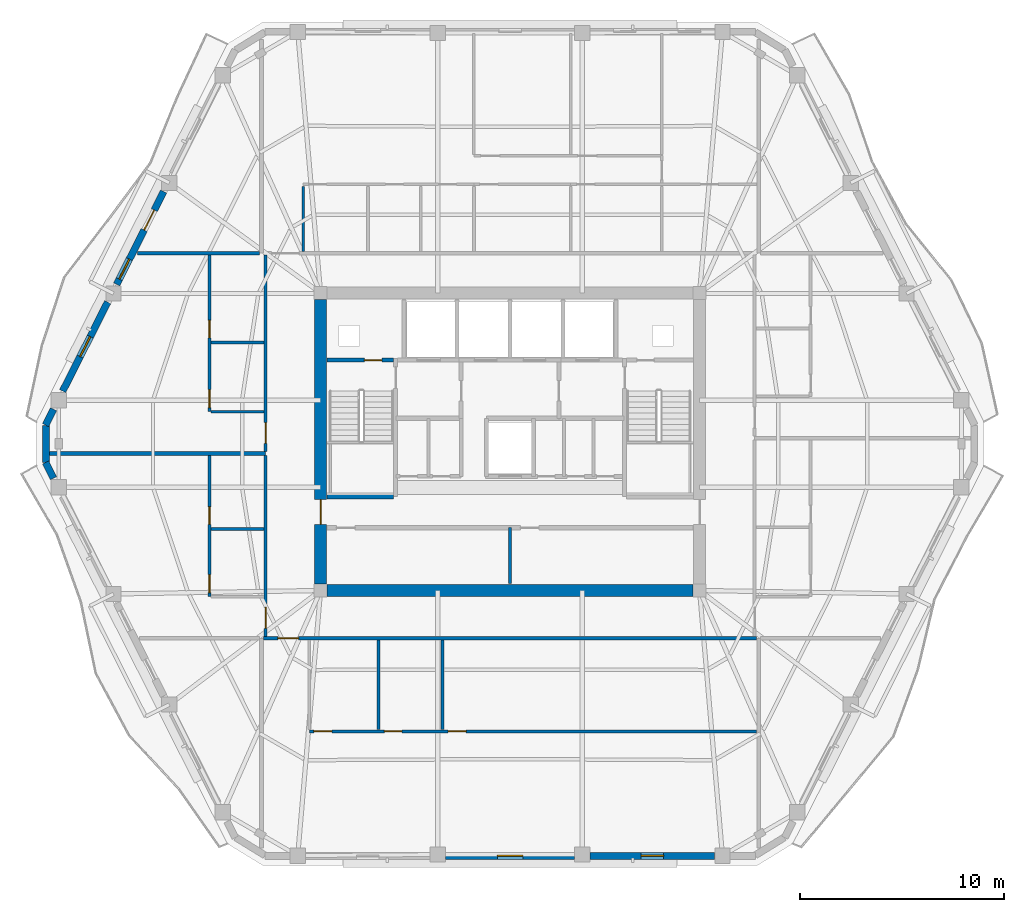
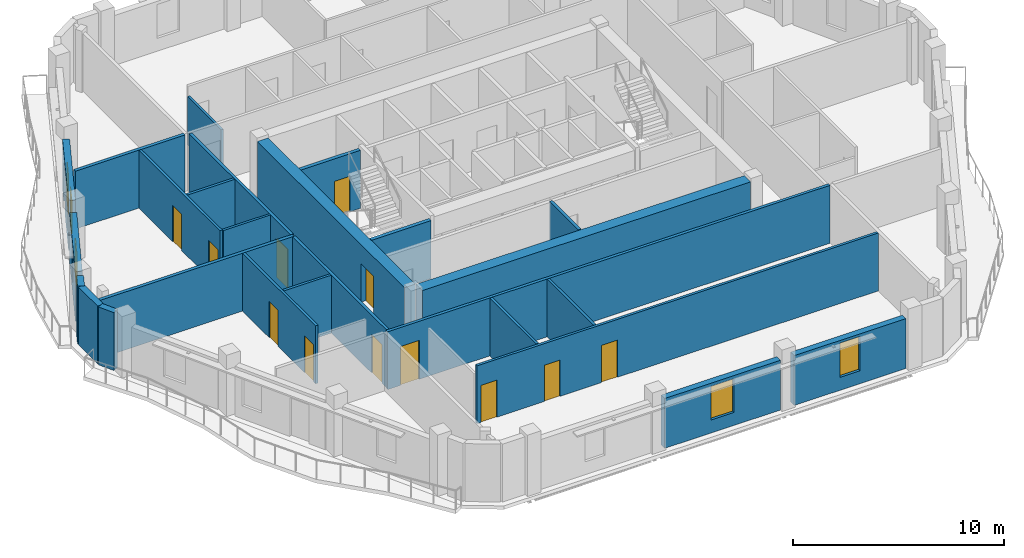
# One storey, part 4 of 11: 26 walls, 13 doors, 4 windows, 17 openings.
"""IFC4 building model written with IfcOpenShell, lengths in metres."""

from ifc_helpers import new_model, si_unit, direction, frame, frame_2d, origin, place, context, subcontext, project, spatial, rectangle, extrude, material, layer, layer_set, type_object, element, fill, save


model = new_model("IFC4")

# Units and contexts
model_context = context("Model", 3, precision=1e-05, world=origin(), true_north=direction((0.0, 1.0)))
body_context = subcontext(model_context, "Body", "Model", "MODEL_VIEW")
ifc_project = project(units=[si_unit("LENGTHUNIT", "METRE"), si_unit("AREAUNIT", "SQUARE_METRE"), si_unit("VOLUMEUNIT", "CUBIC_METRE"), si_unit("PLANEANGLEUNIT", "RADIAN"), si_unit("MASSUNIT", "GRAM", prefix="KILO")], contexts=[model_context])

# Site, building, storey
site_placement = place(None, origin())
site = spatial("IfcSite", under=ifc_project, at=site_placement, CompositionType="ELEMENT")
building_placement = place(site_placement, origin())
building = spatial("IfcBuilding", under=site, at=building_placement, Name="Cinnabar Lancet Tower", CompositionType="ELEMENT")
storey_placement = place(building_placement, frame((0.0, 0.0, 214.5)))
storey = spatial("IfcBuildingStorey", under=building, at=storey_placement, Name="L57", CompositionType="ELEMENT", Elevation=214.5)

# Wall
ifc_material_1 = material(Name="Acoustic twin-stud gypsum partition", Category="gypsum")
ifc_layer_1 = layer(ifc_material_1, 0.159912109375)
ifc_layer_set_1 = layer_set([ifc_layer_1], Name="Acoustic twin-stud gypsum partition")
wall_type_1 = type_object("IfcWallType", Name="ARC-WL-CORR-160", PredefinedType="PARTITIONING", material=ifc_layer_set_1)
wall_1_placement = place(storey_placement, frame((32.39990234375, 18.949951171875, 0.0), z_axis=(0.0, 0.0, 1.0), x_axis=(0.0, 1.0, 0.0)))
element("IfcWall", 1, at=wall_1_placement, inside=storey, type_object=wall_type_1, Name="CW-SB-3240-L57", PredefinedType="PARTITIONING", context=body_context, shape_type="SweptSolid", body=[
    extrude(rectangle(XDim=2.72998046875, YDim=0.159912109375, at=frame_2d((1.364990234375, 0.0))), origin(), (0.0, 0.0, 1.0), 3.35009765625),
])

# Wall, opening, door
wall_2_placement = place(storey_placement, frame((20.294921875, 16.25, 0.0), z_axis=(0.0, 0.0, 1.0), x_axis=(1.0, 0.0, 0.0)))
wall_2 = element("IfcWall", 2, at=wall_2_placement, inside=storey, type_object=wall_type_1, Name="L57 Unit S01 Corridor Wall", PredefinedType="PARTITIONING", context=body_context, shape_type="SweptSolid", body=[
    extrude(rectangle(XDim=24.2099609375, YDim=0.159912109375, at=frame_2d((12.10498046875, 0.0))), origin(), (0.0, 0.0, 1.0), 3.35009765625),
])
opening_1_placement = place(wall_2_placement, frame((0.705078125, 0.0, 0.0)))
opening_1 = element("IfcOpeningElement", 3, at=opening_1_placement, cuts=wall_2, Name="Opening UD-01", PredefinedType="OPENING", context=body_context, shape_type="SweptSolid", body=[
    extrude(rectangle(XDim=1.02001953125, YDim=2.25, at=frame_2d((0.510009765625, 1.125))), frame((0.0, 0.08984375, 0.0), z_axis=(0.0, -1.0, 0.0), x_axis=(1.0, 0.0, 0.0)), (0.0, 0.0, 1.0), 0.179931640625),
])
ifc_material_2 = material(Name="Solid timber fire-rated apartment entrance door", Category="wood")
door_type_1 = type_object("IfcDoorType", Name="ARC-DR-UNIT", OperationType="NOTDEFINED", PredefinedType="DOOR", material=ifc_material_2)
door_1_placement = place(opening_1_placement, origin())
door_1 = element("IfcDoor", 4, at=door_1_placement, inside=storey, type_object=door_type_1, Name="DR-L57-S01-ENT", OperationType="SINGLE_SWING_LEFT", OverallHeight=2.25, OverallWidth=1.02001953125, PredefinedType="DOOR", context=body_context, shape_type="SweptSolid", body=[
    extrude(rectangle(XDim=1.02001953125, YDim=2.25, at=frame_2d((0.510009765625, 1.125))), frame((0.0, 0.02490234375, 0.0), z_axis=(0.0, -1.0, 0.0), x_axis=(1.0, 0.0, 0.0)), (0.0, 0.0, 1.0), 0.050048828125),
])
fill(opening_1, door_1)

wall_3_placement = place(storey_placement, frame((20.39990234375, 16.344970703125, 0.0), z_axis=(0.0, 0.0, 1.0), x_axis=(0.0, 1.0, 0.0)))
wall_3 = element("IfcWall", 5, at=wall_3_placement, inside=storey, type_object=wall_type_1, Name="UW-L57-W01-COR", PredefinedType="PARTITIONING", context=body_context, shape_type="SweptSolid", body=[
    extrude(rectangle(XDim=8.882080078125, YDim=0.159912109375, at=frame_2d((4.44091796875, 0.0))), origin(), (0.0, 0.0, 1.0), 3.35009765625),
])
opening_2_placement = place(wall_3_placement, frame((0.39990234375, 0.0, 0.0)))
opening_2 = element("IfcOpeningElement", 6, at=opening_2_placement, cuts=wall_3, Name="Opening UD-01", PredefinedType="OPENING", context=body_context, shape_type="SweptSolid", body=[
    extrude(rectangle(XDim=1.02001953125, YDim=2.25, at=frame_2d((0.510009765625, 1.125))), frame((0.0, 0.08984375, 0.0), z_axis=(0.0, -1.0, 0.0), x_axis=(1.0, 0.0, 0.0)), (0.0, 0.0, 1.0), 0.179931640625),
])
door_2_placement = place(opening_2_placement, origin())
door_2 = element("IfcDoor", 7, at=door_2_placement, inside=storey, type_object=door_type_1, Name="DR-L57-W01-ENT", OperationType="SINGLE_SWING_LEFT", OverallHeight=2.25, OverallWidth=1.02001953125, PredefinedType="DOOR", context=body_context, shape_type="SweptSolid", body=[
    extrude(rectangle(XDim=1.02001953125, YDim=2.25, at=frame_2d((0.510009765625, 1.125))), frame((0.0, 0.02490234375, 0.0), z_axis=(0.0, -1.0, 0.0), x_axis=(1.0, 0.0, 0.0)), (0.0, 0.0, 1.0), 0.050048828125),
])
fill(opening_2, door_2)

wall_4_placement = place(storey_placement, frame((20.39990234375, 25.4169921875, 0.0), z_axis=(0.0, 0.0, 1.0), x_axis=(0.0, 1.0, 0.0)))
wall_4 = element("IfcWall", 8, at=wall_4_placement, inside=storey, type_object=wall_type_1, Name="UW-L57-W02-COR", PredefinedType="PARTITIONING", context=body_context, shape_type="SweptSolid", body=[
    extrude(rectangle(XDim=9.637939453125, YDim=0.159912109375, at=frame_2d((4.81884765625, 0.0))), origin(), (0.0, 0.0, 1.0), 3.35009765625),
])
opening_3_placement = place(wall_4_placement, frame((0.39990234375, 0.0, 0.0)))
opening_3 = element("IfcOpeningElement", 9, at=opening_3_placement, cuts=wall_4, Name="Opening UD-01", PredefinedType="OPENING", context=body_context, shape_type="SweptSolid", body=[
    extrude(rectangle(XDim=1.02001953125, YDim=2.25, at=frame_2d((0.510009765625, 1.125))), frame((0.0, 0.08984375, 0.0), z_axis=(0.0, -1.0, 0.0), x_axis=(1.0, 0.0, 0.0)), (0.0, 0.0, 1.0), 0.179931640625),
])
door_3_placement = place(opening_3_placement, origin())
door_3 = element("IfcDoor", 10, at=door_3_placement, inside=storey, type_object=door_type_1, Name="DR-L57-W02-ENT", OperationType="SINGLE_SWING_RIGHT", OverallHeight=2.25, OverallWidth=1.02001953125, PredefinedType="DOOR", context=body_context, shape_type="SweptSolid", body=[
    extrude(rectangle(XDim=1.02001953125, YDim=2.25, at=frame_2d((0.510009765625, 1.125))), frame((0.0, 0.02490234375, 0.0), z_axis=(0.0, -1.0, 0.0), x_axis=(1.0, 0.0, 0.0)), (0.0, 0.0, 1.0), 0.050048828125),
])
fill(opening_3, door_3)

# Walls
ifc_material_3 = material(Name="Fire-rated twin-frame acoustic drywall", Category="gypsum")
ifc_layer_2 = layer(ifc_material_3, 0.179931640625)
ifc_layer_set_2 = layer_set([ifc_layer_2], Name="Fire-rated twin-frame acoustic drywall")
wall_type_2 = type_object("IfcWallType", Name="ARC-WL-PARTY-180", PredefinedType="PARTITIONING", material=ifc_layer_set_2)
wall_5_placement = place(storey_placement, frame((14.110107421875, 35.14990234375, 0.0), z_axis=(0.0, 0.0, 1.0), x_axis=(1.0, 0.0, 0.0)))
element("IfcWall", 11, at=wall_5_placement, inside=storey, type_object=wall_type_2, Name="PW-L57-WNB", PredefinedType="PARTITIONING", context=body_context, shape_type="SweptSolid", body=[
    extrude(rectangle(XDim=5.994873046875, YDim=0.179931640625, at=frame_2d((2.99755859375, 0.0))), origin(), (0.0, 0.0, 1.0), 3.35009765625),
])
wall_6_placement = place(storey_placement, frame((9.797119140625, 25.322021484375, 0.0), z_axis=(0.0, 0.0, 1.0), x_axis=(1.0, 0.0, 0.0)))
element("IfcWall", 12, at=wall_6_placement, inside=storey, type_object=wall_type_2, Name="PW-L57-WPTY-1", PredefinedType="PARTITIONING", context=body_context, shape_type="SweptSolid", body=[
    extrude(rectangle(XDim=10.602783203125, YDim=0.179931640625, at=frame_2d((5.30126953125, 0.0))), origin(), (0.0, 0.0, 1.0), 3.35009765625),
])
ifc_material_4 = material(Name="Autoclaved aerated concrete blockwork", Category="masonry")
ifc_layer_3 = layer(ifc_material_4, 0.199951171875)
ifc_layer_set_3 = layer_set([ifc_layer_3], Name="Autoclaved aerated concrete blockwork")
wall_type_3 = type_object("IfcWallType", Name="ARC-WL-SHAFT-200", PredefinedType="PLUMBINGWALL", material=ifc_layer_set_3)
wall_7_placement = place(storey_placement, frame((23.405029296875, 23.199951171875, 0.0), z_axis=(0.0, 0.0, 1.0), x_axis=(1.0, 0.0, 0.0)))
element("IfcWall", 13, at=wall_7_placement, inside=storey, type_object=wall_type_3, Name="CW-ST1S-L57", PredefinedType="PLUMBINGWALL", context=body_context, shape_type="SweptSolid", body=[
    extrude(rectangle(XDim=3.27001953125, YDim=0.199951171875, at=frame_2d((1.635009765625, 0.0))), origin(), (0.0, 0.0, 1.0), 3.35009765625),
])

# Wall, opening, door
wall_8_placement = place(storey_placement, frame((23.405029296875, 29.89990234375, 0.0), z_axis=(0.0, 0.0, 1.0), x_axis=(1.0, 0.0, 0.0)))
wall_8 = element("IfcWall", 14, at=wall_8_placement, inside=storey, type_object=wall_type_3, Name="CW-NSH-W-L57", PredefinedType="PLUMBINGWALL", context=body_context, shape_type="SweptSolid", body=[
    extrude(rectangle(XDim=3.27001953125, YDim=0.199951171875, at=frame_2d((1.635009765625, 0.0))), origin(), (0.0, 0.0, 1.0), 3.35009765625),
])
opening_4_placement = place(wall_8_placement, frame((1.85009765625, 0.0, 0.0)))
opening_4 = element("IfcOpeningElement", 15, at=opening_4_placement, cuts=wall_8, Name="Opening PD-02", PredefinedType="OPENING", context=body_context, shape_type="SweptSolid", body=[
    extrude(rectangle(XDim=0.85009765625, YDim=2.050048828125, at=frame_2d((0.425048828125, 1.02490234375))), frame((0.0, 0.10986328125, 0.0), z_axis=(0.0, -1.0, 0.0), x_axis=(1.0, 0.0, 0.0)), (0.0, 0.0, 1.0), 0.219970703125),
])
ifc_material_5 = material(Name="Fire-rated steel riser access door", Category="steel")
door_type_2 = type_object("IfcDoorType", Name="ARC-DR-RISER", OperationType="NOTDEFINED", PredefinedType="DOOR", material=ifc_material_5)
door_4_placement = place(opening_4_placement, origin())
door_4 = element("IfcDoor", 16, at=door_4_placement, inside=storey, type_object=door_type_2, Name="L57 West Riser Access Door", OperationType="SINGLE_SWING_LEFT", OverallHeight=2.050048828125, OverallWidth=0.85009765625, PredefinedType="DOOR", context=body_context, shape_type="SweptSolid", body=[
    extrude(rectangle(XDim=0.85009765625, YDim=2.050048828125, at=frame_2d((0.425048828125, 1.02490234375))), frame((0.0, 0.02490234375, 0.0), z_axis=(0.0, -1.0, 0.0), x_axis=(1.0, 0.0, 0.0)), (0.0, 0.0, 1.0), 0.050048828125),
])
fill(opening_4, door_4)

# Walls
ifc_material_6 = material(Name="Gypsum plasterboard stud partition", Category="gypsum")
ifc_layer_4 = layer(ifc_material_6, 0.125)
ifc_layer_set_4 = layer_set([ifc_layer_4], Name="Gypsum plasterboard stud partition")
wall_type_4 = type_object("IfcWallType", Name="ARC-WL-UNIT-125", PredefinedType="PARTITIONING", material=ifc_layer_set_4)
wall_9_placement = place(storey_placement, frame((22.25, 35.235107421875, 0.0), z_axis=(0.0, 0.0, 1.0), x_axis=(0.0, 1.0, 0.0)))
element("IfcWall", 17, at=wall_9_placement, inside=storey, type_object=wall_type_4, Name="UW-L57-N01-FOYE", PredefinedType="PARTITIONING", context=body_context, shape_type="SweptSolid", body=[
    extrude(rectangle(XDim=3.19384765625, YDim=0.125, at=frame_2d((1.596923828125, 0.0))), origin(), (0.0, 0.0, 1.0), 2.806884765625),
])
wall_10_placement = place(storey_placement, frame((17.735107421875, 27.3720703125, 0.0), z_axis=(0.0, 0.0, 1.0), x_axis=(1.0, 0.0, 0.0)))
element("IfcWall", 18, at=wall_10_placement, inside=storey, type_object=wall_type_4, Name="UW-L57-W02-FOYN", PredefinedType="PARTITIONING", context=body_context, shape_type="SweptSolid", body=[
    extrude(rectangle(XDim=2.579833984375, YDim=0.125, at=frame_2d((1.2900390625, 0.0))), origin(), (0.0, 0.0, 1.0), 3.35009765625),
])

# Wall, openings, doors
ifc_material_7 = material(Name="Moisture-resistant cement-board plumbing wall", Category="masonry")
ifc_layer_5 = layer(ifc_material_7, 0.139892578125)
ifc_layer_set_5 = layer_set([ifc_layer_5], Name="Moisture-resistant cement-board plumbing wall")
wall_type_5 = type_object("IfcWallType", Name="ARC-WL-WET-140", PredefinedType="PLUMBINGWALL", material=ifc_layer_set_5)
wall_11_placement = place(storey_placement, frame((22.550048828125, 11.68505859375, 0.0), z_axis=(0.0, 0.0, 1.0), x_axis=(1.0, 0.0, 0.0)))
wall_11 = element("IfcWall", 19, at=wall_11_placement, inside=storey, type_object=wall_type_5, Name="UW-L57-S01-SPL", PredefinedType="PLUMBINGWALL", context=body_context, shape_type="SweptSolid", body=[
    extrude(rectangle(XDim=21.954833984375, YDim=0.139892578125, at=frame_2d((10.9775390625, 0.0))), origin(), (0.0, 0.0, 1.0), 3.35009765625),
])
opening_5_placement = place(wall_11_placement, frame((3.679931640625, 0.0, 0.0)))
opening_5 = element("IfcOpeningElement", 20, at=opening_5_placement, cuts=wall_11, Name="Opening BD-01", PredefinedType="OPENING", context=body_context, shape_type="SweptSolid", body=[
    extrude(rectangle(XDim=0.860107421875, YDim=2.10009765625, at=frame_2d((0.43017578125, 1.050048828125))), frame((0.0, 0.079833984375, 0.0), z_axis=(0.0, -1.0, 0.0), x_axis=(1.0, 0.0, 0.0)), (0.0, 0.0, 1.0), 0.159912109375),
])
opening_6_placement = place(wall_11_placement, frame((6.81298828125, 0.0, 0.0)))
opening_6 = element("IfcOpeningElement", 21, at=opening_6_placement, cuts=wall_11, Name="Opening RD-02", PredefinedType="OPENING", context=body_context, shape_type="SweptSolid", body=[
    extrude(rectangle(XDim=0.8798828125, YDim=2.14990234375, at=frame_2d((0.43994140625, 1.074951171875))), frame((0.0, 0.079833984375, 0.0), z_axis=(0.0, -1.0, 0.0), x_axis=(1.0, 0.0, 0.0)), (0.0, 0.0, 1.0), 0.159912109375),
])
opening_7_placement = place(wall_11_placement, frame((0.219970703125, 0.0, 0.0)))
opening_7 = element("IfcOpeningElement", 22, at=opening_7_placement, cuts=wall_11, Name="Opening RD-02", PredefinedType="OPENING", context=body_context, shape_type="SweptSolid", body=[
    extrude(rectangle(XDim=0.8798828125, YDim=2.14990234375, at=frame_2d((0.43994140625, 1.074951171875))), frame((0.0, 0.079833984375, 0.0), z_axis=(0.0, -1.0, 0.0), x_axis=(1.0, 0.0, 0.0)), (0.0, 0.0, 1.0), 0.159912109375),
])
ifc_material_8 = material(Name="Moisture-resistant timber bathroom door", Category="wood")
door_type_3 = type_object("IfcDoorType", Name="ARC-DR-BATH", OperationType="NOTDEFINED", PredefinedType="DOOR", material=ifc_material_8)
door_5_placement = place(opening_5_placement, origin())
door_5 = element("IfcDoor", 23, at=door_5_placement, inside=storey, type_object=door_type_3, Name="DR-L57-S01-BTH", OperationType="SINGLE_SWING_LEFT", OverallHeight=2.10009765625, OverallWidth=0.860107421875, PredefinedType="DOOR", context=body_context, shape_type="SweptSolid", body=[
    extrude(rectangle(XDim=0.860107421875, YDim=2.10009765625, at=frame_2d((0.43017578125, 1.050048828125))), frame((0.0, 0.02490234375, 0.0), z_axis=(0.0, -1.0, 0.0), x_axis=(1.0, 0.0, 0.0)), (0.0, 0.0, 1.0), 0.050048828125),
])
fill(opening_5, door_5)
ifc_material_9 = material(Name="Engineered timber study door", Category="wood")
door_type_4 = type_object("IfcDoorType", Name="ARC-DR-STUDY", OperationType="NOTDEFINED", PredefinedType="DOOR", material=ifc_material_9)
door_6_placement = place(opening_6_placement, origin())
door_6 = element("IfcDoor", 24, at=door_6_placement, inside=storey, type_object=door_type_4, Name="DR-L57-S01-BTH-WDR", OperationType="SINGLE_SWING_RIGHT", OverallHeight=2.14990234375, OverallWidth=0.8798828125, PredefinedType="DOOR", context=body_context, shape_type="SweptSolid", body=[
    extrude(rectangle(XDim=0.8798828125, YDim=2.14990234375, at=frame_2d((0.43994140625, 1.074951171875))), frame((0.0, 0.02490234375, 0.0), z_axis=(0.0, -1.0, 0.0), x_axis=(1.0, 0.0, 0.0)), (0.0, 0.0, 1.0), 0.050048828125),
])
fill(opening_6, door_6)
door_7_placement = place(opening_7_placement, origin())
door_7 = element("IfcDoor", 25, at=door_7_placement, inside=storey, type_object=door_type_4, Name="DR-L57-S01-KIT", OperationType="SINGLE_SWING_RIGHT", OverallHeight=2.14990234375, OverallWidth=0.8798828125, PredefinedType="DOOR", context=body_context, shape_type="SweptSolid", body=[
    extrude(rectangle(XDim=0.8798828125, YDim=2.14990234375, at=frame_2d((0.43994140625, 1.074951171875))), frame((0.0, 0.02490234375, 0.0), z_axis=(0.0, -1.0, 0.0), x_axis=(1.0, 0.0, 0.0)), (0.0, 0.0, 1.0), 0.050048828125),
])
fill(opening_7, door_7)

# Walls
wall_12_placement = place(storey_placement, frame((25.949951171875, 11.7900390625, 0.0), z_axis=(0.0, 0.0, 1.0), x_axis=(0.0, 1.0, 0.0)))
element("IfcWall", 26, at=wall_12_placement, inside=storey, type_object=wall_type_5, Name="UW-L57-S01-KDV", PredefinedType="PLUMBINGWALL", context=body_context, shape_type="SweptSolid", body=[
    extrude(rectangle(XDim=4.375, YDim=0.139892578125, at=frame_2d((2.1875, 0.0))), origin(), (0.0, 0.0, 1.0), 3.35009765625),
])
wall_13_placement = place(storey_placement, frame((29.0830078125, 11.77001953125, 0.0), z_axis=(0.0, 0.0, 1.0), x_axis=(0.0, 1.0, 0.0)))
element("IfcWall", 27, at=wall_13_placement, inside=storey, type_object=wall_type_5, Name="UW-L57-S01-BTH-WDV", PredefinedType="PLUMBINGWALL", context=body_context, shape_type="SweptSolid", body=[
    extrude(rectangle(XDim=4.39501953125, YDim=0.139892578125, at=frame_2d((2.197509765625, 0.0))), origin(), (0.0, 0.0, 1.0), 3.35009765625),
])

# Wall, openings, doors
wall_14_placement = place(storey_placement, frame((17.64990234375, 18.300048828125, 0.0), z_axis=(0.0, 0.0, 1.0), x_axis=(0.0, 1.0, 0.0)))
wall_14 = element("IfcWall", 28, at=wall_14_placement, inside=storey, type_object=wall_type_5, Name="UW-L57-W01-SPL", PredefinedType="PLUMBINGWALL", context=body_context, shape_type="SweptSolid", body=[
    extrude(rectangle(XDim=6.927001953125, YDim=0.139892578125, at=frame_2d((3.46337890625, 0.0))), origin(), (0.0, 0.0, 1.0), 3.35009765625),
])
opening_8_placement = place(wall_14_placement, frame((3.544921875, 0.0, 0.0)))
opening_8 = element("IfcOpeningElement", 29, at=opening_8_placement, cuts=wall_14, Name="Opening BD-01", PredefinedType="OPENING", context=body_context, shape_type="SweptSolid", body=[
    extrude(rectangle(XDim=0.860107421875, YDim=2.10009765625, at=frame_2d((0.43017578125, 1.050048828125))), frame((0.0, 0.079833984375, 0.0), z_axis=(0.0, -1.0, 0.0), x_axis=(1.0, 0.0, 0.0)), (0.0, 0.0, 1.0), 0.159912109375),
])
opening_9_placement = place(wall_14_placement, frame((0.199951171875, 0.0, 0.0)))
opening_9 = element("IfcOpeningElement", 30, at=opening_9_placement, cuts=wall_14, Name="Opening RD-02", PredefinedType="OPENING", context=body_context, shape_type="SweptSolid", body=[
    extrude(rectangle(XDim=0.8798828125, YDim=2.14990234375, at=frame_2d((0.43994140625, 1.074951171875))), frame((0.0, 0.079833984375, 0.0), z_axis=(0.0, -1.0, 0.0), x_axis=(1.0, 0.0, 0.0)), (0.0, 0.0, 1.0), 0.159912109375),
])
door_8_placement = place(opening_8_placement, origin())
door_8 = element("IfcDoor", 31, at=door_8_placement, inside=storey, type_object=door_type_3, Name="DR-L57-W01-BTH", OperationType="SINGLE_SWING_LEFT", OverallHeight=2.10009765625, OverallWidth=0.860107421875, PredefinedType="DOOR", context=body_context, shape_type="SweptSolid", body=[
    extrude(rectangle(XDim=0.860107421875, YDim=2.10009765625, at=frame_2d((0.43017578125, 1.050048828125))), frame((0.0, 0.02490234375, 0.0), z_axis=(0.0, -1.0, 0.0), x_axis=(1.0, 0.0, 0.0)), (0.0, 0.0, 1.0), 0.050048828125),
])
fill(opening_8, door_8)
door_9_placement = place(opening_9_placement, origin())
door_9 = element("IfcDoor", 32, at=door_9_placement, inside=storey, type_object=door_type_4, Name="DR-L57-W01-KIT", OperationType="SINGLE_SWING_RIGHT", OverallHeight=2.14990234375, OverallWidth=0.8798828125, PredefinedType="DOOR", context=body_context, shape_type="SweptSolid", body=[
    extrude(rectangle(XDim=0.8798828125, YDim=2.14990234375, at=frame_2d((0.43994140625, 1.074951171875))), frame((0.0, 0.02490234375, 0.0), z_axis=(0.0, -1.0, 0.0), x_axis=(1.0, 0.0, 0.0)), (0.0, 0.0, 1.0), 0.050048828125),
])
fill(opening_9, door_9)

# Wall
wall_15_placement = place(storey_placement, frame((17.735107421875, 21.625, 0.0), z_axis=(0.0, 0.0, 1.0), x_axis=(1.0, 0.0, 0.0)))
element("IfcWall", 33, at=wall_15_placement, inside=storey, type_object=wall_type_5, Name="UW-L57-W01-KDV", PredefinedType="PLUMBINGWALL", context=body_context, shape_type="SweptSolid", body=[
    extrude(rectangle(XDim=2.579833984375, YDim=0.139892578125, at=frame_2d((1.2900390625, 0.0))), origin(), (0.0, 0.0, 1.0), 3.35009765625),
])

# Wall, openings, doors
wall_16_placement = place(storey_placement, frame((17.64990234375, 27.3720703125, 0.0), z_axis=(0.0, 0.0, 1.0), x_axis=(0.0, 1.0, 0.0)))
wall_16 = element("IfcWall", 34, at=wall_16_placement, inside=storey, type_object=wall_type_5, Name="UW-L57-W02-SPL", PredefinedType="PLUMBINGWALL", context=body_context, shape_type="SweptSolid", body=[
    extrude(rectangle(XDim=7.682861328125, YDim=0.139892578125, at=frame_2d((3.84130859375, 0.0))), origin(), (0.0, 0.0, 1.0), 3.35009765625),
])
opening_10_placement = place(wall_16_placement, frame((3.6201171875, 0.0, 0.0)))
opening_10 = element("IfcOpeningElement", 35, at=opening_10_placement, cuts=wall_16, Name="Opening BD-01", PredefinedType="OPENING", context=body_context, shape_type="SweptSolid", body=[
    extrude(rectangle(XDim=0.860107421875, YDim=2.10009765625, at=frame_2d((0.43017578125, 1.050048828125))), frame((0.0, 0.079833984375, 0.0), z_axis=(0.0, -1.0, 0.0), x_axis=(1.0, 0.0, 0.0)), (0.0, 0.0, 1.0), 0.159912109375),
])
opening_11_placement = place(wall_16_placement, frame((0.199951171875, 0.0, 0.0)))
opening_11 = element("IfcOpeningElement", 36, at=opening_11_placement, cuts=wall_16, Name="Opening RD-02", PredefinedType="OPENING", context=body_context, shape_type="SweptSolid", body=[
    extrude(rectangle(XDim=0.8798828125, YDim=2.14990234375, at=frame_2d((0.43994140625, 1.074951171875))), frame((0.0, 0.079833984375, 0.0), z_axis=(0.0, -1.0, 0.0), x_axis=(1.0, 0.0, 0.0)), (0.0, 0.0, 1.0), 0.159912109375),
])
door_10_placement = place(opening_10_placement, origin())
door_10 = element("IfcDoor", 37, at=door_10_placement, inside=storey, type_object=door_type_3, Name="DR-L57-W02-BTH", OperationType="SINGLE_SWING_RIGHT", OverallHeight=2.10009765625, OverallWidth=0.860107421875, PredefinedType="DOOR", context=body_context, shape_type="SweptSolid", body=[
    extrude(rectangle(XDim=0.860107421875, YDim=2.10009765625, at=frame_2d((0.43017578125, 1.050048828125))), frame((0.0, 0.02490234375, 0.0), z_axis=(0.0, -1.0, 0.0), x_axis=(1.0, 0.0, 0.0)), (0.0, 0.0, 1.0), 0.050048828125),
])
fill(opening_10, door_10)
door_11_placement = place(opening_11_placement, origin())
door_11 = element("IfcDoor", 38, at=door_11_placement, inside=storey, type_object=door_type_4, Name="DR-L57-W02-KIT", OperationType="SINGLE_SWING_LEFT", OverallHeight=2.14990234375, OverallWidth=0.8798828125, PredefinedType="DOOR", context=body_context, shape_type="SweptSolid", body=[
    extrude(rectangle(XDim=0.8798828125, YDim=2.14990234375, at=frame_2d((0.43994140625, 1.074951171875))), frame((0.0, 0.02490234375, 0.0), z_axis=(0.0, -1.0, 0.0), x_axis=(1.0, 0.0, 0.0)), (0.0, 0.0, 1.0), 0.050048828125),
])
fill(opening_11, door_11)

# Walls
wall_17_placement = place(storey_placement, frame((17.735107421875, 30.77197265625, 0.0), z_axis=(0.0, 0.0, 1.0), x_axis=(1.0, 0.0, 0.0)))
element("IfcWall", 39, at=wall_17_placement, inside=storey, type_object=wall_type_5, Name="UW-L57-W02-KDV", PredefinedType="PLUMBINGWALL", context=body_context, shape_type="SweptSolid", body=[
    extrude(rectangle(XDim=2.579833984375, YDim=0.139892578125, at=frame_2d((1.2900390625, 0.0))), origin(), (0.0, 0.0, 1.0), 3.35009765625),
])
ifc_material_10 = material(Name="Cinnabar red clay brick", Category="masonry")
ifc_layer_6 = layer(ifc_material_10, 0.340087890625)
ifc_layer_set_6 = layer_set([ifc_layer_6], Name="Cinnabar red clay brick")
wall_type_6 = type_object("IfcWallType", Name="ENV-WL-BRK-RED-340", PredefinedType="STANDARD", material=ifc_layer_set_6)
wall_18_placement = place(storey_placement, frame((9.6220703125, 26.7080078125, 0.0), z_axis=(0.0, 0.0, 1.0), x_axis=(0.0, -1.0, 0.0)))
element("IfcWall", 40, at=wall_18_placement, inside=storey, type_object=wall_type_6, Name="L57 Chamfered Corner Brick Pier 6.1", PredefinedType="STANDARD", context=body_context, shape_type="SweptSolid", body=[
    extrude(rectangle(XDim=1.81591796875, YDim=0.340087890625, at=frame_2d((0.907958984375, 0.0))), origin(), (0.0, 0.0, 1.0), 3.35009765625),
])

# Wall, opening, window
wall_19_placement = place(storey_placement, frame((29.236083984375, 5.580078125, 0.0), z_axis=(0.0, 0.0, 1.0), x_axis=(1.0, 0.0, 0.0)))
wall_19 = element("IfcWall", 41, at=wall_19_placement, inside=storey, type_object=wall_type_6, Name="L57 Face 1 Masonry Bay Wall 3", PredefinedType="STANDARD", context=body_context, shape_type="SweptSolid", body=[
    extrude(rectangle(XDim=6.327880859375, YDim=0.340087890625, at=frame_2d((3.1640625, 0.0))), origin(), (0.0, 0.0, 1.0), 2.883056640625),
])
opening_12_placement = place(wall_19_placement, frame((2.5390625, 0.0, 0.75)))
opening_12 = element("IfcOpeningElement", 42, at=opening_12_placement, cuts=wall_19, Name="Opening WN-03", PredefinedType="OPENING", context=body_context, shape_type="SweptSolid", body=[
    extrude(rectangle(XDim=1.25, YDim=1.949951171875, at=frame_2d((0.625, 0.97509765625))), frame((0.0, 0.179931640625, 0.0), z_axis=(0.0, -1.0, 0.0), x_axis=(1.0, 0.0, 0.0)), (0.0, 0.0, 1.0), 0.360107421875),
])
ifc_material_11 = material(Name="Thermally broken bronze-anodized aluminium low-E double glazing", Category="aluminium")
window_type_1 = type_object("IfcWindowType", Name="ENV-WN-LANCET-1250", PartitioningType="SINGLE_PANEL", PredefinedType="WINDOW", material=ifc_material_11)
window_1_placement = place(opening_12_placement, origin())
window_1 = element("IfcWindow", 43, at=window_1_placement, inside=storey, type_object=window_type_1, Name="L57 Face 1 Gothic Lancet Window 3", OverallHeight=1.949951171875, OverallWidth=1.25, PartitioningType="SINGLE_PANEL", PredefinedType="WINDOW", context=body_context, shape_type="SweptSolid", body=[
    extrude(rectangle(XDim=1.25, YDim=1.949951171875, at=frame_2d((0.625, 0.97509765625))), frame((0.0, 0.030029296875, 0.0), z_axis=(0.0, -1.0, 0.0), x_axis=(1.0, 0.0, 0.0)), (0.0, 0.0, 1.0), 0.06005859375),
])
fill(opening_12, window_1)

wall_20_placement = place(storey_placement, frame((36.322021484375, 5.580078125, 0.0), z_axis=(0.0, 0.0, 1.0), x_axis=(1.0, 0.0, 0.0)))
wall_20 = element("IfcWall", 44, at=wall_20_placement, inside=storey, type_object=wall_type_6, Name="L57 Face 1 Masonry Bay Wall 4", PredefinedType="STANDARD", context=body_context, shape_type="SweptSolid", body=[
    extrude(rectangle(XDim=6.119873046875, YDim=0.340087890625, at=frame_2d((3.06005859375, 0.0))), origin(), (0.0, 0.0, 1.0), 2.883056640625),
])
opening_13_placement = place(wall_20_placement, frame((2.510009765625, 0.0, 0.75)))
opening_13 = element("IfcOpeningElement", 45, at=opening_13_placement, cuts=wall_20, Name="Opening WN-04", PredefinedType="OPENING", context=body_context, shape_type="SweptSolid", body=[
    extrude(rectangle(XDim=1.10009765625, YDim=1.98291015625, at=frame_2d((0.550048828125, 0.991455078125))), frame((0.0, 0.179931640625, 0.0), z_axis=(0.0, -1.0, 0.0), x_axis=(1.0, 0.0, 0.0)), (0.0, 0.0, 1.0), 0.360107421875),
])
ifc_material_12 = material(Name="Thermally broken bronze-anodized aluminium tall lancet window", Category="aluminium")
window_type_2 = type_object("IfcWindowType", Name="ENV-WN-LANCET-1100", PartitioningType="SINGLE_PANEL", PredefinedType="WINDOW", material=ifc_material_12)
window_2_placement = place(opening_13_placement, origin())
window_2 = element("IfcWindow", 46, at=window_2_placement, inside=storey, type_object=window_type_2, Name="L57 Face 1 Gothic Lancet Window 4", OverallHeight=1.98291015625, OverallWidth=1.10009765625, PartitioningType="SINGLE_PANEL", PredefinedType="WINDOW", context=body_context, shape_type="SweptSolid", body=[
    extrude(rectangle(XDim=1.10009765625, YDim=1.98291015625, at=frame_2d((0.550048828125, 0.991455078125))), frame((0.0, 0.030029296875, 0.0), z_axis=(0.0, -1.0, 0.0), x_axis=(1.0, 0.0, 0.0)), (0.0, 0.0, 1.0), 0.06005859375),
])
fill(opening_13, window_2)

# Wall, openings, door, window
wall_21_placement = place(storey_placement, frame((15.39697265625, 38.173095703125, 0.0), z_axis=(0.0, 0.0, 1.0), x_axis=(-0.451444616922, -0.892299141461, 0.0)))
wall_21 = element("IfcWall", 47, at=wall_21_placement, inside=storey, type_object=wall_type_6, Name="L57 Face 5 Masonry Bay Wall 3", PredefinedType="STANDARD", context=body_context, shape_type="SweptSolid", body=[
    extrude(rectangle(XDim=5.094970703125, YDim=0.340087890625, at=frame_2d((2.54736328125, 0.0))), origin(), (0.0, 0.0, 1.0), 2.883056640625),
])
opening_14_placement = place(wall_21_placement, frame((1.01904296875, 0.0, 0.0)))
opening_14 = element("IfcOpeningElement", 48, at=opening_14_placement, cuts=wall_21, Name="Opening TD-01", PredefinedType="OPENING", context=body_context, shape_type="SweptSolid", body=[
    extrude(rectangle(XDim=1.10009765625, YDim=2.25, at=frame_2d((0.550048828125, 1.125))), frame((0.0, 0.179931640625, 0.0), z_axis=(0.0, -1.0, 0.0), x_axis=(1.0, 0.0, 0.0)), (0.0, 0.0, 1.0), 0.360107421875),
])
opening_15_placement = place(wall_21_placement, frame((3.7119140625, 0.0, 0.75)))
opening_15 = element("IfcOpeningElement", 49, at=opening_15_placement, cuts=wall_21, Name="Opening WN-04", PredefinedType="OPENING", context=body_context, shape_type="SweptSolid", body=[
    extrude(rectangle(XDim=1.10009765625, YDim=1.98291015625, at=frame_2d((0.550048828125, 0.991455078125))), frame((0.0, 0.179931640625, 0.0), z_axis=(0.0, -1.0, 0.0), x_axis=(1.0, 0.0, 0.0)), (0.0, 0.0, 1.0), 0.360107421875),
])
ifc_material_13 = material(Name="Thermally broken low-E glazed balcony terrace door", Category="wood")
door_type_5 = type_object("IfcDoorType", Name="ARC-DR-BALC", OperationType="NOTDEFINED", PredefinedType="DOOR", material=ifc_material_13)
door_12_placement = place(opening_14_placement, origin())
door_12 = element("IfcDoor", 50, at=door_12_placement, inside=storey, type_object=door_type_5, Name="L57 Face 5 Glazed Terrace Door", OperationType="SINGLE_SWING_LEFT", OverallHeight=2.25, OverallWidth=1.10009765625, PredefinedType="DOOR", context=body_context, shape_type="SweptSolid", body=[
    extrude(rectangle(XDim=1.10009765625, YDim=2.25, at=frame_2d((0.550048828125, 1.125))), frame((0.0, 0.02490234375, 0.0), z_axis=(0.0, -1.0, 0.0), x_axis=(1.0, 0.0, 0.0)), (0.0, 0.0, 1.0), 0.050048828125),
])
fill(opening_14, door_12)
window_3_placement = place(opening_15_placement, origin())
window_3 = element("IfcWindow", 51, at=window_3_placement, inside=storey, type_object=window_type_2, Name="L57 Split-Bay Gothic Lancet Window 200", OverallHeight=1.98291015625, OverallWidth=1.10009765625, PartitioningType="SINGLE_PANEL", PredefinedType="WINDOW", context=body_context, shape_type="SweptSolid", body=[
    extrude(rectangle(XDim=1.10009765625, YDim=1.98291015625, at=frame_2d((0.550048828125, 0.991455078125))), frame((0.0, 0.030029296875, 0.0), z_axis=(0.0, -1.0, 0.0), x_axis=(1.0, 0.0, 0.0)), (0.0, 0.0, 1.0), 0.06005859375),
])
fill(opening_15, window_3)

# Wall, opening, window
wall_22_placement = place(storey_placement, frame((12.653076171875, 32.7470703125, 0.0), z_axis=(0.0, 0.0, 1.0), x_axis=(-0.451545895749, -0.892247893824, 0.0)))
wall_22 = element("IfcWall", 52, at=wall_22_placement, inside=storey, type_object=wall_type_6, Name="L57 Face 5 Masonry Bay Wall 4", PredefinedType="STANDARD", context=body_context, shape_type="SweptSolid", body=[
    extrude(rectangle(XDim=4.885498046875, YDim=0.340087890625, at=frame_2d((2.44287109375, 0.0))), origin(), (0.0, 0.0, 1.0), 2.883056640625),
])
opening_16_placement = place(wall_22_placement, frame((1.89306640625, 0.0, 0.75)))
opening_16 = element("IfcOpeningElement", 53, at=opening_16_placement, cuts=wall_22, Name="Opening WN-04", PredefinedType="OPENING", context=body_context, shape_type="SweptSolid", body=[
    extrude(rectangle(XDim=1.10009765625, YDim=1.98291015625, at=frame_2d((0.550048828125, 0.991455078125))), frame((0.0, 0.179931640625, 0.0), z_axis=(0.0, -1.0, 0.0), x_axis=(1.0, 0.0, 0.0)), (0.0, 0.0, 1.0), 0.360107421875),
])
window_4_placement = place(opening_16_placement, origin())
window_4 = element("IfcWindow", 54, at=window_4_placement, inside=storey, type_object=window_type_2, Name="L57 Face 5 Gothic Lancet Window 4", OverallHeight=1.98291015625, OverallWidth=1.10009765625, PartitioningType="SINGLE_PANEL", PredefinedType="WINDOW", context=body_context, shape_type="SweptSolid", body=[
    extrude(rectangle(XDim=1.10009765625, YDim=1.98291015625, at=frame_2d((0.550048828125, 0.991455078125))), frame((0.0, 0.030029296875, 0.0), z_axis=(0.0, -1.0, 0.0), x_axis=(1.0, 0.0, 0.0)), (0.0, 0.0, 1.0), 0.06005859375),
])
fill(opening_16, window_4)

# Walls
wall_23_placement = place(storey_placement, frame((9.993896484375, 27.492919921875, 0.0), z_axis=(0.0, 0.0, 1.0), x_axis=(-0.450796198004, -0.892626902947, 0.0)))
element("IfcWall", 55, at=wall_23_placement, inside=storey, type_object=wall_type_6, Name="L57 Face 5 Masonry Bay Wall 5", PredefinedType="STANDARD", context=body_context, shape_type="SweptSolid", body=[
    extrude(rectangle(XDim=0.871337890625, YDim=0.340087890625, at=frame_2d((0.435546875, 0.0))), origin(), (0.0, 0.0, 1.0), 3.35009765625),
])
wall_24_placement = place(storey_placement, frame((9.60107421875, 24.885009765625, 0.0), z_axis=(0.0, 0.0, 1.0), x_axis=(0.450683483537, -0.892683817299, 0.0)))
element("IfcWall", 56, at=wall_24_placement, inside=storey, type_object=wall_type_6, Name="L57 Face 6 Masonry Bay Wall 1", PredefinedType="STANDARD", context=body_context, shape_type="SweptSolid", body=[
    extrude(rectangle(XDim=0.87158203125, YDim=0.340087890625, at=frame_2d((0.435791015625, 0.0))), origin(), (0.0, 0.0, 1.0), 3.35009765625),
])
ifc_material_14 = material(Name="Concrete C60/75", Category="concrete")
ifc_layer_7 = layer(ifc_material_14, 0.60009765625)
ifc_layer_set_7 = layer_set([ifc_layer_7], Name="Concrete C60/75")
wall_type_7 = type_object("IfcWallType", Name="STR-WL-CORE-600", PredefinedType="SHEAR", material=ifc_layer_set_7)
wall_25_placement = place(storey_placement, frame((23.425048828125, 18.60009765625, 0.0), z_axis=(0.0, 0.0, 1.0), x_axis=(1.0, 0.0, 0.0)))
element("IfcWall", 57, at=wall_25_placement, inside=storey, type_object=wall_type_7, Name="L57 Core Shear Wall S", PredefinedType="SHEAR", context=body_context, shape_type="SweptSolid", body=[
    extrude(rectangle(XDim=17.949951171875, YDim=0.60009765625, at=frame_2d((8.97509765625, 0.0))), origin(), (0.0, 0.0, 1.0), 3.35009765625),
])

# Wall, opening, door
wall_26_placement = place(storey_placement, frame((23.10009765625, 18.925048828125, 0.0), z_axis=(0.0, 0.0, 1.0), x_axis=(0.0, 1.0, 0.0)))
wall_26 = element("IfcWall", 58, at=wall_26_placement, inside=storey, type_object=wall_type_7, Name="L57 Core Shear Wall W", PredefinedType="SHEAR", context=body_context, shape_type="SweptSolid", body=[
    extrude(rectangle(XDim=13.949951171875, YDim=0.60009765625, at=frame_2d((6.97509765625, 0.0))), origin(), (0.0, 0.0, 1.0), 3.35009765625),
])
opening_17_placement = place(wall_26_placement, frame((2.9150390625, 0.0, 0.0)))
opening_17 = element("IfcOpeningElement", 59, at=opening_17_placement, cuts=wall_26, Name="Opening FD-02", PredefinedType="OPENING", context=body_context, shape_type="SweptSolid", body=[
    extrude(rectangle(XDim=1.219970703125, YDim=2.25, at=frame_2d((0.60986328125, 1.125))), frame((0.0, 0.31005859375, 0.0), z_axis=(0.0, -1.0, 0.0), x_axis=(1.0, 0.0, 0.0)), (0.0, 0.0, 1.0), 0.6201171875),
])
ifc_material_15 = material(Name="Fire-rated double-vision core portal door", Category="wood")
door_type_6 = type_object("IfcDoorType", Name="ARC-DR-CPORT", OperationType="NOTDEFINED", PredefinedType="DOOR", material=ifc_material_15)
door_13_placement = place(opening_17_placement, origin())
door_13 = element("IfcDoor", 60, at=door_13_placement, inside=storey, type_object=door_type_6, Name="L57 West Core Lobby Fire Door", OperationType="SINGLE_SWING_RIGHT", OverallHeight=2.25, OverallWidth=1.219970703125, PredefinedType="DOOR", context=body_context, shape_type="SweptSolid", body=[
    extrude(rectangle(XDim=1.219970703125, YDim=2.25, at=frame_2d((0.60986328125, 1.125))), frame((0.0, 0.02490234375, 0.0), z_axis=(0.0, -1.0, 0.0), x_axis=(1.0, 0.0, 0.0)), (0.0, 0.0, 1.0), 0.050048828125),
])
fill(opening_17, door_13)

save(model, "model.ifc")
